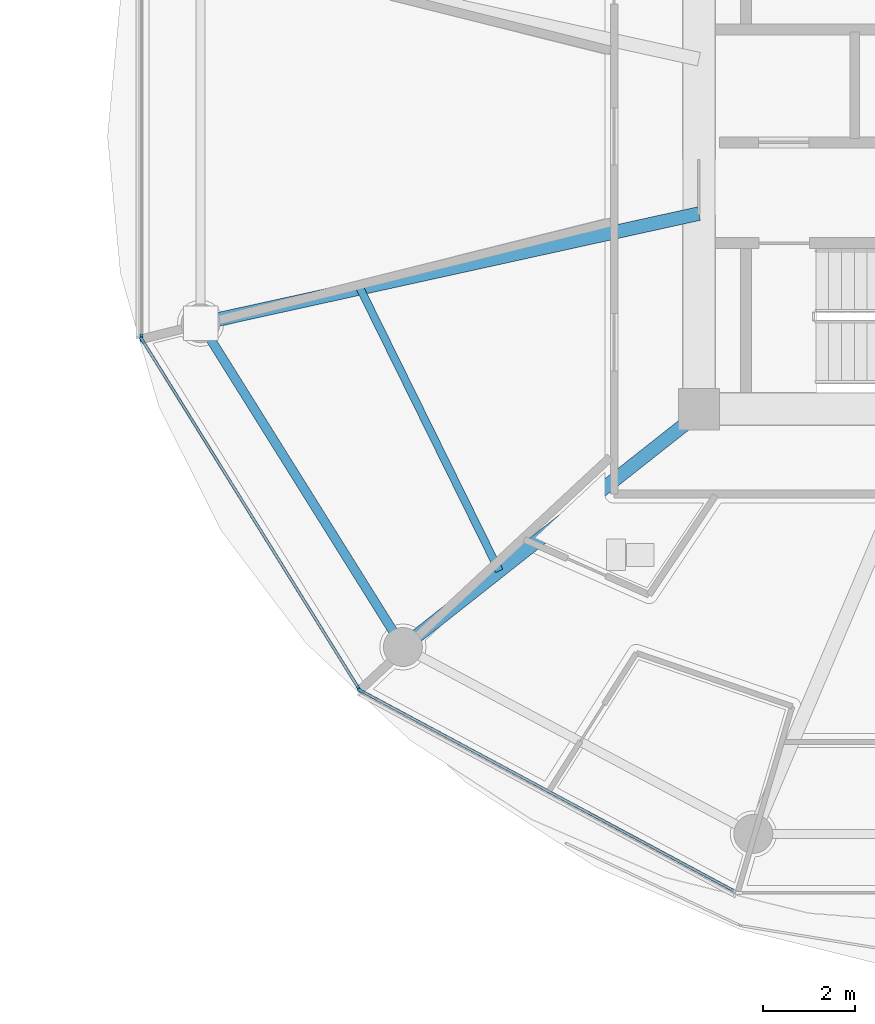
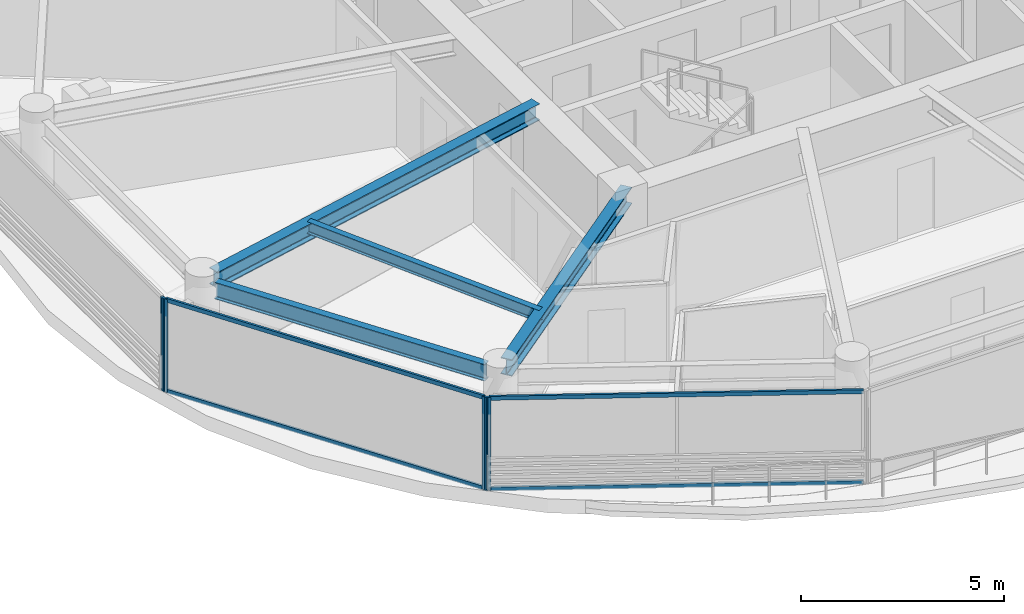
# One storey, part 6 of 32: 8 members, 4 beams, 3 elements without a shape of their own.
"""IFC4 building model written with IfcOpenShell, lengths in metres."""

from ifc_helpers import new_model, si_unit, direction, frame, origin, origin_2d, place, context, subcontext, project, spatial, rectangle, i_section, extrude, source, transform, mapped, material, layer, layer_set, material_profile, profile_set, type_object, type_shapes, element, aggregate, save


model = new_model("IFC4")

# Units and contexts
model_context = context("Model", 3, precision=1e-05, world=origin(), true_north=direction((0.0, 1.0)))
body_context = subcontext(model_context, "Body", "Model", "MODEL_VIEW")
ifc_project = project(units=[si_unit("LENGTHUNIT", "METRE"), si_unit("AREAUNIT", "SQUARE_METRE"), si_unit("VOLUMEUNIT", "CUBIC_METRE"), si_unit("PLANEANGLEUNIT", "RADIAN"), si_unit("MASSUNIT", "GRAM", prefix="KILO")], contexts=[model_context])

# Site, building, storey
site_placement = place(None, origin())
site = spatial("IfcSite", under=ifc_project, at=site_placement, CompositionType="ELEMENT")
building_placement = place(site_placement, origin())
building = spatial("IfcBuilding", under=site, at=building_placement, Name="Norrkilde Senior Care Towers", CompositionType="ELEMENT")
storey_placement = place(building_placement, frame((0.0, 0.0, 77.949951171875)))
storey = spatial("IfcBuildingStorey", under=building, at=storey_placement, Name="L23", CompositionType="ELEMENT", Elevation=77.949951171875)

# Beams
ifc_material_1 = material(Name="Steel S355", Category="steel")
ifc_material_profile_1 = material_profile(ifc_material_1, i_section(OverallWidth=0.199951171875, OverallDepth=0.5, WebThickness=0.01025390625, FlangeThickness=0.01611328125, FilletRadius=0.02099609375, at=origin_2d()), Name="IPE 500")
ifc_profile_set_1 = profile_set([ifc_material_profile_1], Name="Steel S355")
beam_type_1 = type_object("IfcBeamType", Name="Perimeter Ring Spandrel Z2 IPE500", PredefinedType="SPANDREL", material=ifc_profile_set_1)
shared_shape_1 = source(origin(), body_context, "Body", "SweptSolid", [
    extrude(i_section(OverallWidth=0.199951171875, OverallDepth=0.5, WebThickness=0.01025390625, FlangeThickness=0.01611328125, FilletRadius=0.02099609375, at=origin_2d()), origin(), (0.0, 0.0, 1.0), 7.55615234375),
])
type_shapes(beam_type_1, [shared_shape_1])
beam_1_placement = place(storey_placement, frame((9.68505859375, -4.40283203125, 2.5400390625), z_axis=(0.529981514254, -0.848009194849, 0.0), x_axis=(0.848009194849, 0.529981514254, 0.0)))
element("IfcBeam", 1, at=beam_1_placement, inside=storey, type_object=beam_type_1, Name="L23 Drum E Perimeter Spandrel 07", PredefinedType="SPANDREL", context=body_context, shape_type="MappedRepresentation", body=[
    mapped(shared_shape_1, transform((0.0, 0.0, 0.0), x_axis=(1.0, 0.0, 0.0), y_axis=(0.0, 1.0, 0.0), z_axis=(0.0, 0.0, 1.0), scale=1.0)),
])
ifc_material_profile_2 = material_profile(ifc_material_1, i_section(OverallWidth=0.300048828125, OverallDepth=0.5, WebThickness=0.014404296875, FlangeThickness=0.028076171875, FilletRadius=0.027099609375, at=origin_2d()), Name="HEB 500")
ifc_profile_set_2 = profile_set([ifc_material_profile_2], Name="Steel S355")
beam_type_2 = type_object("IfcBeamType", Name="Radial Floor Beam Z2 HEB500", PredefinedType="BEAM", material=ifc_profile_set_2)
shared_shape_2 = source(origin(), body_context, "Body", "SweptSolid", [
    extrude(i_section(OverallWidth=0.300048828125, OverallDepth=0.5, WebThickness=0.014404296875, FlangeThickness=0.028076171875, FilletRadius=0.027099609375, at=origin_2d()), origin(), (0.0, 0.0, 1.0), 10.744384765625),
])
beam_2_placement = place(storey_placement, frame((20.35009765625, -1.683837890625, 2.5400390625), z_axis=(-0.976618711422, -0.214978818724, 0.0), x_axis=(0.214978818724, -0.976618711422, 0.0)))
element("IfcBeam", 2, at=beam_2_placement, inside=storey, type_object=beam_type_2, Name="L23 Drum E Radial Floor Beam 07", PredefinedType="BEAM", context=body_context, shape_type="MappedRepresentation", body=[
    mapped(shared_shape_2, transform((0.0, 0.0, 0.0), x_axis=(1.0, 0.0, 0.0), y_axis=(0.0, 1.0, 0.0), z_axis=(0.0, 0.0, 1.0), scale=1.0)),
])
shared_shape_3 = source(origin(), body_context, "Body", "SweptSolid", [
    extrude(i_section(OverallWidth=0.300048828125, OverallDepth=0.5, WebThickness=0.014404296875, FlangeThickness=0.028076171875, FilletRadius=0.027099609375, at=origin_2d()), origin(), (0.0, 0.0, 1.0), 7.985595703125),
])
type_shapes(beam_type_2, [shared_shape_2, shared_shape_3])
beam_3_placement = place(storey_placement, frame((20.463623046875, -5.949951171875, 2.5400390625), z_axis=(-0.784858505144, -0.619675017169, 0.0), x_axis=(0.619675017169, -0.784858505144, 0.0)))
element("IfcBeam", 3, at=beam_3_placement, inside=storey, type_object=beam_type_2, Name="L23 Drum E Radial Floor Beam 08", PredefinedType="BEAM", context=body_context, shape_type="MappedRepresentation", body=[
    mapped(shared_shape_3, transform((0.0, 0.0, 0.0), x_axis=(1.0, 0.0, 0.0), y_axis=(0.0, 1.0, 0.0), z_axis=(0.0, 0.0, 1.0), scale=1.0)),
])
ifc_material_profile_3 = material_profile(ifc_material_1, i_section(OverallWidth=0.169921875, OverallDepth=0.360107421875, WebThickness=0.008056640625, FlangeThickness=0.0126953125, FilletRadius=0.01806640625, at=origin_2d()), Name="IPE 360")
ifc_profile_set_3 = profile_set([ifc_material_profile_3], Name="Steel S355")
beam_type_3 = type_object("IfcBeamType", Name="Secondary Floor Joist IPE360", PredefinedType="JOIST", material=ifc_profile_set_3)
shared_shape_4 = source(origin(), body_context, "Body", "SweptSolid", [
    extrude(i_section(OverallWidth=0.169921875, OverallDepth=0.360107421875, WebThickness=0.008056640625, FlangeThickness=0.0126953125, FilletRadius=0.01806640625, at=origin_2d()), origin(), (0.0, 0.0, 1.0), 6.87353515625),
])
type_shapes(beam_type_3, [shared_shape_4])
beam_4_placement = place(storey_placement, frame((12.958984375, -3.310791015625, 2.610107421875), z_axis=(0.44184939592, -0.897089243791, 0.0), x_axis=(0.897089243791, 0.44184939592, 0.0)))
element("IfcBeam", 4, at=beam_4_placement, inside=storey, type_object=beam_type_3, Name="L23 Drum E Secondary Floor Joist 3", PredefinedType="JOIST", context=body_context, shape_type="MappedRepresentation", body=[
    mapped(shared_shape_4, transform((0.0, 0.0, 0.0), x_axis=(1.0, 0.0, 0.0), y_axis=(0.0, 1.0, 0.0), z_axis=(0.0, 0.0, 1.0), scale=1.0)),
])

# Curtain wall, member
ifc_material_2 = material(Name="Triple Low-E Insulated Glazing", Category="glass")
ifc_layer = layer(ifc_material_2, 0.195068359375)
ifc_layer_set = layer_set([ifc_layer], Name="Triple Low-E Insulated Glazing")
curtain_wall_type = type_object("IfcCurtainWallType", Name="CW3 Zone 2 Assisted Living Curtain Wall", PredefinedType="NOTDEFINED", material=ifc_layer_set)
curtain_wall_1_placement = place(storey_placement, origin())
curtain_wall_1 = element("IfcCurtainWall", 5, at=curtain_wall_1_placement, inside=storey, type_object=curtain_wall_type, Name="L23 Drum E Curtain Wall 05", PredefinedType="NOTDEFINED")
ifc_material_3 = material(Name="Anodised Aluminium", Category="aluminium")
ifc_material_profile_4 = material_profile(ifc_material_3, rectangle(XDim=0.06494140625, YDim=0.159912109375, at=origin_2d()), Name="ALU MULL 65x160")
ifc_profile_set_4 = profile_set([ifc_material_profile_4], Name="Anodised Aluminium")
member_type_1 = type_object("IfcMemberType", Name="Curtain Wall Mullion Z1-Z2 65x160", PredefinedType="MULLION", material=ifc_profile_set_4)
shared_shape_5 = source(origin(), body_context, "Body", "SweptSolid", [
    extrude(rectangle(XDim=0.06494140625, YDim=0.159912109375, at=origin_2d()), origin(), (0.0, 0.0, 1.0), 2.7900390625),
])
type_shapes(member_type_1, [shared_shape_5])
member_1_placement = place(storey_placement, frame((8.1962890625, -4.38818359375, 0.0), z_axis=(0.0, 0.0, 1.0), x_axis=(-1.0, 0.0, 0.0)))
member_1 = element("IfcMember", 6, at=member_1_placement, type_object=member_type_1, Name="CW-3 mullion 1", PredefinedType="MULLION", context=body_context, shape_type="MappedRepresentation", body=[
    mapped(shared_shape_5, transform((0.0, 0.0, 0.0), x_axis=(1.0, 0.0, 0.0), y_axis=(0.0, 1.0, 0.0), z_axis=(0.0, 0.0, 1.0), scale=1.0)),
])
aggregate(curtain_wall_1, [member_1])

# Curtain wall, members
curtain_wall_2_placement = place(storey_placement, origin())
curtain_wall_2 = element("IfcCurtainWall", 7, at=curtain_wall_2_placement, inside=storey, type_object=curtain_wall_type, Name="L23 Drum E Curtain Wall 06", PredefinedType="NOTDEFINED")
member_2_placement = place(storey_placement, frame((12.936279296875, -12.0498046875, 0.0), z_axis=(0.0, 0.0, 1.0), x_axis=(-0.849410171862, -0.527733228002, 0.0)))
member_2 = element("IfcMember", 8, at=member_2_placement, type_object=member_type_1, Name="CW-3 mullion 1", PredefinedType="MULLION", context=body_context, shape_type="MappedRepresentation", body=[
    mapped(shared_shape_5, transform((0.0, 0.0, 0.0), x_axis=(1.0, 0.0, 0.0), y_axis=(0.0, 1.0, 0.0), z_axis=(0.0, 0.0, 1.0), scale=1.0)),
])
member_3_placement = place(storey_placement, frame((8.21337890625, -4.4482421875, 0.0), z_axis=(0.0, 0.0, 1.0), x_axis=(-0.849410171862, -0.527733228002, 0.0)))
member_3 = element("IfcMember", 9, at=member_3_placement, type_object=member_type_1, Name="CW-3 mullion 2", PredefinedType="MULLION", context=body_context, shape_type="MappedRepresentation", body=[
    mapped(shared_shape_5, transform((0.0, 0.0, 0.0), x_axis=(1.0, 0.0, 0.0), y_axis=(0.0, 1.0, 0.0), z_axis=(0.0, 0.0, 1.0), scale=1.0)),
])

# Curtain wall, member
curtain_wall_3_placement = place(storey_placement, origin())
curtain_wall_3 = element("IfcCurtainWall", 10, at=curtain_wall_3_placement, inside=storey, type_object=curtain_wall_type, Name="L23 Drum E Curtain Wall 07", PredefinedType="NOTDEFINED")
member_4_placement = place(storey_placement, frame((12.98193359375, -12.0927734375, 0.0), z_axis=(0.0, 0.0, 1.0), x_axis=(-0.472769402511, -0.881186184668, 0.0)))
member_4 = element("IfcMember", 11, at=member_4_placement, type_object=member_type_1, Name="CW-3 mullion 2", PredefinedType="MULLION", context=body_context, shape_type="MappedRepresentation", body=[
    mapped(shared_shape_5, transform((0.0, 0.0, 0.0), x_axis=(1.0, 0.0, 0.0), y_axis=(0.0, 1.0, 0.0), z_axis=(0.0, 0.0, 1.0), scale=1.0)),
])

# Member
ifc_material_profile_5 = material_profile(ifc_material_3, rectangle(XDim=0.06005859375, YDim=0.1201171875, at=origin_2d()), Name="ALU TRAN 60x120")
ifc_profile_set_5 = profile_set([ifc_material_profile_5], Name="Anodised Aluminium")
member_type_2 = type_object("IfcMemberType", Name="Curtain Wall Transom Typical 60x120", PredefinedType="USERDEFINED", material=ifc_profile_set_5)
shared_shape_6 = source(origin(), body_context, "Body", "SweptSolid", [
    extrude(rectangle(XDim=0.06005859375, YDim=0.1201171875, at=origin_2d()), origin(), (0.0, 0.0, 1.0), 8.88427734375),
])
member_5_placement = place(storey_placement, frame((12.919189453125, -12.022216796875, 0.030029296875), z_axis=(-0.527749293309, 0.849400190377, 0.0), x_axis=(-0.849400190377, -0.527749293309, 0.0)))
member_5 = element("IfcMember", 12, at=member_5_placement, type_object=member_type_2, Name="CW-3 transom 1.1", ObjectType="TRANSOM", PredefinedType="USERDEFINED", context=body_context, shape_type="MappedRepresentation", body=[
    mapped(shared_shape_6, transform((0.0, 0.0, 0.0), x_axis=(1.0, 0.0, 0.0), y_axis=(0.0, 1.0, 0.0), z_axis=(0.0, 0.0, 1.0), scale=1.0)),
])

member_6_placement = place(storey_placement, frame((12.919189453125, -12.022216796875, 2.760009765625), z_axis=(-0.527749293309, 0.849400190377, 0.0), x_axis=(-0.849400190377, -0.527749293309, 0.0)))
member_6 = element("IfcMember", 13, at=member_6_placement, type_object=member_type_2, Name="CW-3 transom 1.2", ObjectType="TRANSOM", PredefinedType="USERDEFINED", context=body_context, shape_type="MappedRepresentation", body=[
    mapped(shared_shape_6, transform((0.0, 0.0, 0.0), x_axis=(1.0, 0.0, 0.0), y_axis=(0.0, 1.0, 0.0), z_axis=(0.0, 0.0, 1.0), scale=1.0)),
])

aggregate(curtain_wall_2, [member_2, member_3, member_5, member_6])

shared_shape_7 = source(origin(), body_context, "Body", "SweptSolid", [
    extrude(rectangle(XDim=0.06005859375, YDim=0.1201171875, at=origin_2d()), origin(), (0.0, 0.0, 1.0), 9.220458984375),
])
type_shapes(member_type_2, [shared_shape_6, shared_shape_7])
member_7_placement = place(storey_placement, frame((21.1357421875, -16.46728515625, 0.030029296875), z_axis=(-0.881188517866, 0.472765053681, 0.0), x_axis=(-0.472765053681, -0.881188517866, 0.0)))
member_7 = element("IfcMember", 14, at=member_7_placement, type_object=member_type_2, Name="CW-3 transom 1.1", ObjectType="TRANSOM", PredefinedType="USERDEFINED", context=body_context, shape_type="MappedRepresentation", body=[
    mapped(shared_shape_7, transform((0.0, 0.0, 0.0), x_axis=(1.0, 0.0, 0.0), y_axis=(0.0, 1.0, 0.0), z_axis=(0.0, 0.0, 1.0), scale=1.0)),
])

member_8_placement = place(storey_placement, frame((21.1357421875, -16.46728515625, 2.760009765625), z_axis=(-0.881188517866, 0.472765053681, 0.0), x_axis=(-0.472765053681, -0.881188517866, 0.0)))
member_8 = element("IfcMember", 15, at=member_8_placement, type_object=member_type_2, Name="CW-3 transom 1.2", ObjectType="TRANSOM", PredefinedType="USERDEFINED", context=body_context, shape_type="MappedRepresentation", body=[
    mapped(shared_shape_7, transform((0.0, 0.0, 0.0), x_axis=(1.0, 0.0, 0.0), y_axis=(0.0, 1.0, 0.0), z_axis=(0.0, 0.0, 1.0), scale=1.0)),
])

aggregate(curtain_wall_3, [member_4, member_7, member_8])

save(model, "model.ifc")
